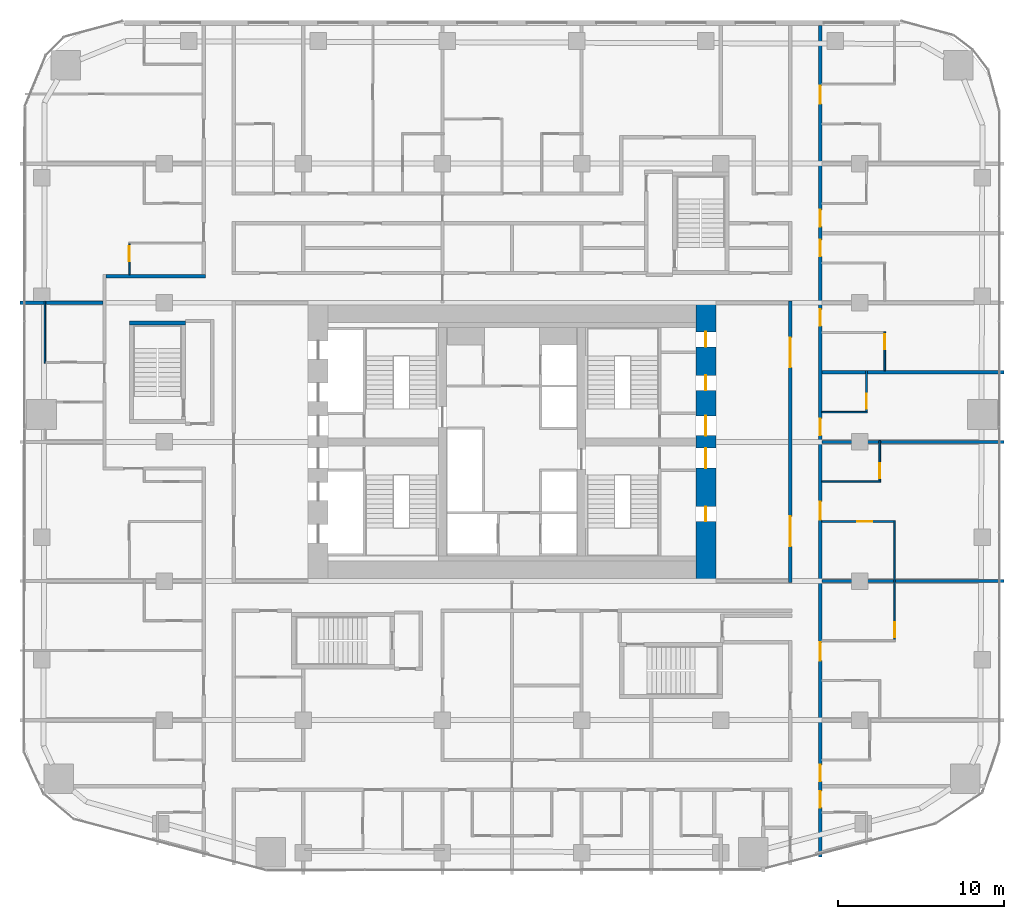
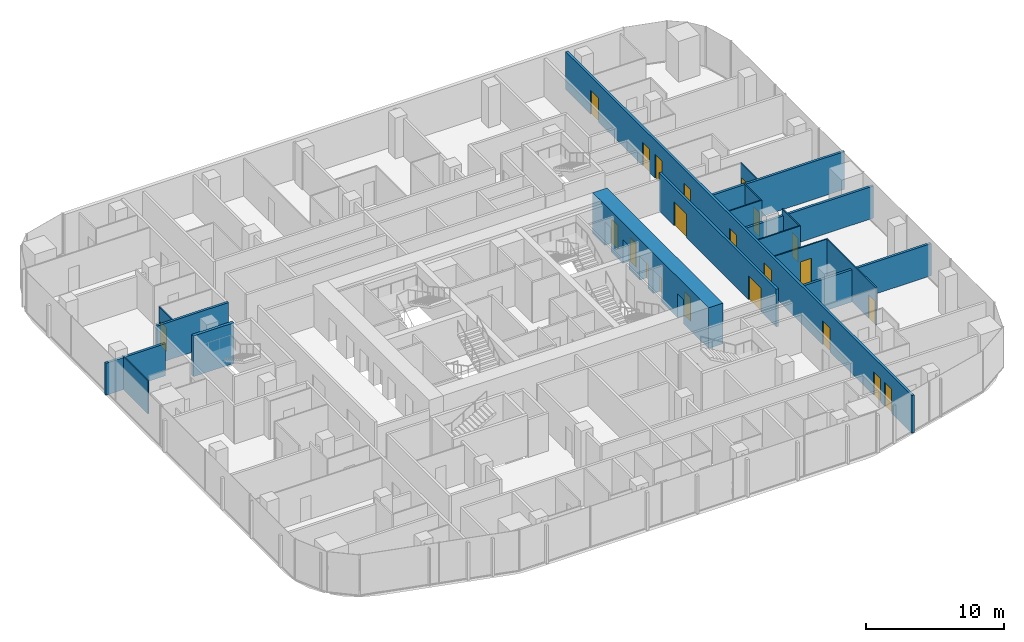
# One storey, part 20 of 26: 22 doors, 18 walls, 22 openings.
"""IFC4 building model written with IfcOpenShell, lengths in metres."""

from ifc_helpers import new_model, si_unit, direction, frame, frame_2d, origin, place, context, subcontext, project, spatial, rectangle, extrude, material, layer, layer_set, type_object, element, fill, save


model = new_model("IFC4")

# Units and contexts
model_context = context("Model", 3, precision=1e-05, world=origin(), true_north=direction((0.0, 1.0)))
body_context = subcontext(model_context, "Body", "Model", "MODEL_VIEW")
ifc_project = project(units=[si_unit("LENGTHUNIT", "METRE"), si_unit("AREAUNIT", "SQUARE_METRE"), si_unit("VOLUMEUNIT", "CUBIC_METRE"), si_unit("PLANEANGLEUNIT", "RADIAN"), si_unit("MASSUNIT", "GRAM", prefix="KILO")], contexts=[model_context])

# Site, building, storey
site_placement = place(None, origin())
site = spatial("IfcSite", under=ifc_project, at=site_placement, CompositionType="ELEMENT")
building_placement = place(site_placement, origin())
building = spatial("IfcBuilding", under=site, at=building_placement, Name="Marenta Gate Hotel Tower", CompositionType="ELEMENT")
storey_placement = place(building_placement, frame((0.0, 0.0, 65.300048828125)))
storey = spatial("IfcBuildingStorey", under=building, at=storey_placement, Name="L14", CompositionType="ELEMENT", Elevation=65.300048828125)

# Wall, openings, doors
ifc_material_1 = material(Name="Concrete blockwork", Category="masonry")
ifc_layer_1 = layer(ifc_material_1, 0.199951171875)
ifc_layer_set_1 = layer_set([ifc_layer_1], Name="Concrete blockwork")
wall_type_1 = type_object("IfcWallType", Name="Core boundary wall 200 REI 180", PredefinedType="PARTITIONING", material=ifc_layer_set_1)
wall_1_placement = place(storey_placement, frame((16.800048828125, -0.10009765625, 0.0), z_axis=(0.0, 0.0, 1.0), x_axis=(0.0, 1.0, 0.0)))
wall_1 = element("IfcWall", 1, at=wall_1_placement, inside=storey, type_object=wall_type_1, Name="L14-CP-BW-E", PredefinedType="PARTITIONING", context=body_context, shape_type="SweptSolid", body=[
    extrude(rectangle(XDim=17.0, YDim=0.199951171875, at=frame_2d((8.5, 0.0))), origin(), (0.0, 0.0, 1.0), 3.33984375),
])
opening_1_placement = place(wall_1_placement, frame((2.199951171875, 0.0, 0.0)))
opening_1 = element("IfcOpeningElement", 2, at=opening_1_placement, cuts=wall_1, Name="Opening ED-Ea-B", PredefinedType="OPENING", context=body_context, shape_type="SweptSolid", body=[
    extrude(rectangle(XDim=1.800048828125, YDim=2.10009765625, at=frame_2d((0.89990234375, 1.050048828125))), frame((0.0, 0.10009765625, 0.0), z_axis=(0.0, -1.0, 0.0), x_axis=(1.0, 0.0, 0.0)), (0.0, 0.0, 1.0), 0.199951171875),
])
opening_2_placement = place(wall_1_placement, frame((13.0, 0.0, 0.0)))
opening_2 = element("IfcOpeningElement", 3, at=opening_2_placement, cuts=wall_1, Name="Opening ED-Eb-B", PredefinedType="OPENING", context=body_context, shape_type="SweptSolid", body=[
    extrude(rectangle(XDim=1.800048828125, YDim=2.10009765625, at=frame_2d((0.89990234375, 1.050048828125))), frame((0.0, 0.10009765625, 0.0), z_axis=(0.0, -1.0, 0.0), x_axis=(1.0, 0.0, 0.0)), (0.0, 0.0, 1.0), 0.199951171875),
])
ifc_material_2 = material(Name="Steel", Category="steel")
door_type_1 = type_object("IfcDoorType", Name="Core lobby entrance door 1800x2100 EI 60", OperationType="DOUBLE_DOOR_SINGLE_SWING", PredefinedType="DOOR", material=ifc_material_2)
door_1_placement = place(opening_1_placement, origin())
door_1 = element("IfcDoor", 4, at=door_1_placement, inside=storey, type_object=door_type_1, Name="ED-Ea-B", OperationType="DOUBLE_DOOR_SINGLE_SWING", OverallHeight=2.10009765625, OverallWidth=1.800048828125, PredefinedType="DOOR", context=body_context, shape_type="SweptSolid", body=[
    extrude(rectangle(XDim=1.800048828125, YDim=2.10009765625, at=frame_2d((0.89990234375, 1.050048828125))), frame((0.0, 0.02490234375, 0.0), z_axis=(0.0, -1.0, 0.0), x_axis=(1.0, 0.0, 0.0)), (0.0, 0.0, 1.0), 0.050048828125),
])
fill(opening_1, door_1)
door_2_placement = place(opening_2_placement, origin())
door_2 = element("IfcDoor", 5, at=door_2_placement, inside=storey, type_object=door_type_1, Name="ED-Eb-B", OperationType="DOUBLE_DOOR_SINGLE_SWING", OverallHeight=2.10009765625, OverallWidth=1.800048828125, PredefinedType="DOOR", context=body_context, shape_type="SweptSolid", body=[
    extrude(rectangle(XDim=1.800048828125, YDim=2.10009765625, at=frame_2d((0.89990234375, 1.050048828125))), frame((0.0, 0.02490234375, 0.0), z_axis=(0.0, -1.0, 0.0), x_axis=(1.0, 0.0, 0.0)), (0.0, 0.0, 1.0), 0.050048828125),
])
fill(opening_2, door_2)

ifc_material_3 = material(Name="Concrete C80", Category="concrete")
ifc_layer_2 = layer(ifc_material_3, 1.199951171875)
ifc_layer_set_2 = layer_set([ifc_layer_2], Name="Concrete C80")
wall_type_2 = type_object("IfcWallType", Name="Core wall 1200 C80", PredefinedType="SHEAR", material=ifc_layer_set_2)
wall_2_placement = place(storey_placement, frame((11.699951171875, 0.0, 0.0), z_axis=(0.0, 0.0, 1.0), x_axis=(0.0, 1.0, 0.0)))
wall_2 = element("IfcWall", 6, at=wall_2_placement, inside=storey, type_object=wall_type_2, Name="L14-CORE-E", PredefinedType="SHEAR", context=body_context, shape_type="SweptSolid", body=[
    extrude(rectangle(XDim=16.800048828125, YDim=1.199951171875, at=frame_2d((8.39990234375, 0.0))), origin(), (0.0, 0.0, 1.0), 3.599853515625),
])
opening_3_placement = place(wall_2_placement, frame((3.60009765625, 0.0, 0.0)))
opening_3 = element("IfcOpeningElement", 7, at=opening_3_placement, cuts=wall_2, Name="Opening RD-ES-1", PredefinedType="OPENING", context=body_context, shape_type="SweptSolid", body=[
    extrude(rectangle(XDim=0.89990234375, YDim=2.10009765625, at=frame_2d((0.449951171875, 1.050048828125))), frame((0.0, 0.60009765625, 0.0), z_axis=(0.0, -1.0, 0.0), x_axis=(1.0, 0.0, 0.0)), (0.0, 0.0, 1.0), 1.199951171875),
])
opening_4_placement = place(wall_2_placement, frame((6.824951171875, 0.0, 0.0)))
opening_4 = element("IfcOpeningElement", 8, at=opening_4_placement, cuts=wall_2, Name="Opening PD-ES", PredefinedType="OPENING", context=body_context, shape_type="SweptSolid", body=[
    extrude(rectangle(XDim=1.199951171875, YDim=2.10009765625, at=frame_2d((0.60009765625, 1.050048828125))), frame((0.0, 0.60009765625, 0.0), z_axis=(0.0, -1.0, 0.0), x_axis=(1.0, 0.0, 0.0)), (0.0, 0.0, 1.0), 1.199951171875),
])
opening_5_placement = place(wall_2_placement, frame((14.137451171875, 0.0, 0.0)))
opening_5 = element("IfcOpeningElement", 9, at=opening_5_placement, cuts=wall_2, Name="Opening RD-EN-1", PredefinedType="OPENING", context=body_context, shape_type="SweptSolid", body=[
    extrude(rectangle(XDim=0.89990234375, YDim=2.10009765625, at=frame_2d((0.449951171875, 1.050048828125))), frame((0.0, 0.60009765625, 0.0), z_axis=(0.0, -1.0, 0.0), x_axis=(1.0, 0.0, 0.0)), (0.0, 0.0, 1.0), 1.199951171875),
])
opening_6_placement = place(wall_2_placement, frame((11.512451171875, 0.0, 0.0)))
opening_6 = element("IfcOpeningElement", 10, at=opening_6_placement, cuts=wall_2, Name="Opening RD-EN-2", PredefinedType="OPENING", context=body_context, shape_type="SweptSolid", body=[
    extrude(rectangle(XDim=0.89990234375, YDim=2.10009765625, at=frame_2d((0.449951171875, 1.050048828125))), frame((0.0, 0.60009765625, 0.0), z_axis=(0.0, -1.0, 0.0), x_axis=(1.0, 0.0, 0.0)), (0.0, 0.0, 1.0), 1.199951171875),
])
opening_7_placement = place(wall_2_placement, frame((8.77490234375, 0.0, 0.0)))
opening_7 = element("IfcOpeningElement", 11, at=opening_7_placement, cuts=wall_2, Name="Opening PD-EN", PredefinedType="OPENING", context=body_context, shape_type="SweptSolid", body=[
    extrude(rectangle(XDim=1.199951171875, YDim=2.10009765625, at=frame_2d((0.60009765625, 1.050048828125))), frame((0.0, 0.60009765625, 0.0), z_axis=(0.0, -1.0, 0.0), x_axis=(1.0, 0.0, 0.0)), (0.0, 0.0, 1.0), 1.199951171875),
])
ifc_material_4 = material(Name="Steel", Category="steel")
door_type_2 = type_object("IfcDoorType", Name="Core lobby door 1200x2100 FD60", OperationType="SINGLE_SWING_LEFT", PredefinedType="DOOR", material=ifc_material_4)
door_3_placement = place(opening_4_placement, origin())
door_3 = element("IfcDoor", 12, at=door_3_placement, inside=storey, type_object=door_type_2, Name="PD-ES", OperationType="SINGLE_SWING_LEFT", OverallHeight=2.10009765625, OverallWidth=1.199951171875, PredefinedType="DOOR", context=body_context, shape_type="SweptSolid", body=[
    extrude(rectangle(XDim=1.199951171875, YDim=2.10009765625, at=frame_2d((0.60009765625, 1.050048828125))), frame((0.0, 0.02490234375, 0.0), z_axis=(0.0, -1.0, 0.0), x_axis=(1.0, 0.0, 0.0)), (0.0, 0.0, 1.0), 0.050048828125),
])
fill(opening_4, door_3)
door_4_placement = place(opening_7_placement, origin())
door_4 = element("IfcDoor", 13, at=door_4_placement, inside=storey, type_object=door_type_2, Name="PD-EN", OperationType="SINGLE_SWING_LEFT", OverallHeight=2.10009765625, OverallWidth=1.199951171875, PredefinedType="DOOR", context=body_context, shape_type="SweptSolid", body=[
    extrude(rectangle(XDim=1.199951171875, YDim=2.10009765625, at=frame_2d((0.60009765625, 1.050048828125))), frame((0.0, 0.02490234375, 0.0), z_axis=(0.0, -1.0, 0.0), x_axis=(1.0, 0.0, 0.0)), (0.0, 0.0, 1.0), 0.050048828125),
])
fill(opening_7, door_4)
ifc_material_5 = material(Name="Steel", Category="steel")
door_type_3 = type_object("IfcDoorType", Name="Core service room door 900x2100 FD30S", OperationType="SINGLE_SWING_LEFT", PredefinedType="DOOR", material=ifc_material_5)
door_5_placement = place(opening_3_placement, origin())
door_5 = element("IfcDoor", 14, at=door_5_placement, inside=storey, type_object=door_type_3, Name="RD-ES-1", OperationType="SINGLE_SWING_LEFT", OverallHeight=2.10009765625, OverallWidth=0.89990234375, PredefinedType="DOOR", context=body_context, shape_type="SweptSolid", body=[
    extrude(rectangle(XDim=0.89990234375, YDim=2.10009765625, at=frame_2d((0.449951171875, 1.050048828125))), frame((0.0, 0.02490234375, 0.0), z_axis=(0.0, -1.0, 0.0), x_axis=(1.0, 0.0, 0.0)), (0.0, 0.0, 1.0), 0.050048828125),
])
fill(opening_3, door_5)
door_6_placement = place(opening_5_placement, origin())
door_6 = element("IfcDoor", 15, at=door_6_placement, inside=storey, type_object=door_type_3, Name="RD-EN-1", OperationType="SINGLE_SWING_LEFT", OverallHeight=2.10009765625, OverallWidth=0.89990234375, PredefinedType="DOOR", context=body_context, shape_type="SweptSolid", body=[
    extrude(rectangle(XDim=0.89990234375, YDim=2.10009765625, at=frame_2d((0.449951171875, 1.050048828125))), frame((0.0, 0.02490234375, 0.0), z_axis=(0.0, -1.0, 0.0), x_axis=(1.0, 0.0, 0.0)), (0.0, 0.0, 1.0), 0.050048828125),
])
fill(opening_5, door_6)
door_7_placement = place(opening_6_placement, origin())
door_7 = element("IfcDoor", 16, at=door_7_placement, inside=storey, type_object=door_type_3, Name="RD-EN-2", OperationType="SINGLE_SWING_LEFT", OverallHeight=2.10009765625, OverallWidth=0.89990234375, PredefinedType="DOOR", context=body_context, shape_type="SweptSolid", body=[
    extrude(rectangle(XDim=0.89990234375, YDim=2.10009765625, at=frame_2d((0.449951171875, 1.050048828125))), frame((0.0, 0.02490234375, 0.0), z_axis=(0.0, -1.0, 0.0), x_axis=(1.0, 0.0, 0.0)), (0.0, 0.0, 1.0), 0.050048828125),
])
fill(opening_6, door_7)

# Wall
ifc_material_6 = material(Name="Concrete C40", Category="concrete")
ifc_layer_3 = layer(ifc_material_6, 0.25)
ifc_layer_set_3 = layer_set([ifc_layer_3], Name="Concrete C40")
wall_type_3 = type_object("IfcWallType", Name="Remote stair enclosure wall 250 REI 180", PredefinedType="SHEAR", material=ifc_layer_set_3)
wall_3_placement = place(storey_placement, frame((-23.10009765625, 15.574951171875, 0.099853515625), z_axis=(0.0, 0.0, 1.0), x_axis=(1.0, 0.0, 0.0)))
element("IfcWall", 17, at=wall_3_placement, inside=storey, type_object=wall_type_3, Name="L14-RS-Z1-3-W2", PredefinedType="SHEAR", context=body_context, shape_type="SweptSolid", body=[
    extrude(rectangle(XDim=3.400146484375, YDim=0.25, at=frame_2d((1.7001953125, 0.0))), origin(), (0.0, 0.0, 1.0), 3.60009765625),
])

# Wall, openings, doors
ifc_material_7 = material(Name="Gypsum board on steel stud", Category="steel")
ifc_layer_4 = layer(ifc_material_7, 0.199951171875)
ifc_layer_set_4 = layer_set([ifc_layer_4], Name="Gypsum board on steel stud")
wall_type_4 = type_object("IfcWallType", Name="Room corridor wall 200 EI 60", PredefinedType="PARTITIONING", material=ifc_layer_set_4)
wall_4_placement = place(storey_placement, frame((18.60009765625, -16.6650390625, 0.0), z_axis=(0.0, 0.0, 1.0), x_axis=(0.0, 1.0, 0.0)))
wall_4 = element("IfcWall", 18, at=wall_4_placement, inside=storey, type_object=wall_type_4, Name="L14-PTN-W014", PredefinedType="PARTITIONING", context=body_context, shape_type="SweptSolid", body=[
    extrude(rectangle(XDim=50.205078125, YDim=0.199951171875, at=frame_2d((25.1025390625, 0.0))), origin(), (0.0, 0.0, 1.0), 3.33984375),
])
opening_8_placement = place(wall_4_placement, frame((2.990966796875, 0.0, 0.0)))
opening_8 = element("IfcOpeningElement", 19, at=opening_8_placement, cuts=wall_4, Name="Opening G05-05", PredefinedType="OPENING", context=body_context, shape_type="SweptSolid", body=[
    extrude(rectangle(XDim=1.0, YDim=2.10009765625, at=frame_2d((0.5, 1.050048828125))), frame((0.0, 0.10009765625, 0.0), z_axis=(0.0, -1.0, 0.0), x_axis=(1.0, 0.0, 0.0)), (0.0, 0.0, 1.0), 0.199951171875),
])
opening_9_placement = place(wall_4_placement, frame((4.573974609375, 0.0, 0.0)))
opening_9 = element("IfcOpeningElement", 20, at=opening_9_placement, cuts=wall_4, Name="Opening G05-07", PredefinedType="OPENING", context=body_context, shape_type="SweptSolid", body=[
    extrude(rectangle(XDim=1.0, YDim=2.10009765625, at=frame_2d((0.5, 1.050048828125))), frame((0.0, 0.10009765625, 0.0), z_axis=(0.0, -1.0, 0.0), x_axis=(1.0, 0.0, 0.0)), (0.0, 0.0, 1.0), 0.199951171875),
])
opening_10_placement = place(wall_4_placement, frame((11.864990234375, 0.0, 0.0)))
opening_10 = element("IfcOpeningElement", 21, at=opening_10_placement, cuts=wall_4, Name="Opening G05-09", PredefinedType="OPENING", context=body_context, shape_type="SweptSolid", body=[
    extrude(rectangle(XDim=1.10009765625, YDim=2.10009765625, at=frame_2d((0.550048828125, 1.050048828125))), frame((0.0, 0.10009765625, 0.0), z_axis=(0.0, -1.0, 0.0), x_axis=(1.0, 0.0, 0.0)), (0.0, 0.0, 1.0), 0.199951171875),
])
opening_11_placement = place(wall_4_placement, frame((20.364990234375, 0.0, 0.0)))
opening_11 = element("IfcOpeningElement", 22, at=opening_11_placement, cuts=wall_4, Name="Opening G05-12", PredefinedType="OPENING", context=body_context, shape_type="SweptSolid", body=[
    extrude(rectangle(XDim=1.10009765625, YDim=2.10009765625, at=frame_2d((0.550048828125, 1.050048828125))), frame((0.0, 0.10009765625, 0.0), z_axis=(0.0, -1.0, 0.0), x_axis=(1.0, 0.0, 0.0)), (0.0, 0.0, 1.0), 0.199951171875),
])
opening_12_placement = place(wall_4_placement, frame((25.465087890625, 0.0, 0.0)))
opening_12 = element("IfcOpeningElement", 23, at=opening_12_placement, cuts=wall_4, Name="Opening G05-15", PredefinedType="OPENING", context=body_context, shape_type="SweptSolid", body=[
    extrude(rectangle(XDim=1.0, YDim=2.10009765625, at=frame_2d((0.5, 1.050048828125))), frame((0.0, 0.10009765625, 0.0), z_axis=(0.0, -1.0, 0.0), x_axis=(1.0, 0.0, 0.0)), (0.0, 0.0, 1.0), 0.199951171875),
])
opening_13_placement = place(wall_4_placement, frame((32.06494140625, 0.0, 0.0)))
opening_13 = element("IfcOpeningElement", 24, at=opening_13_placement, cuts=wall_4, Name="Opening G05-17", PredefinedType="OPENING", context=body_context, shape_type="SweptSolid", body=[
    extrude(rectangle(XDim=1.0, YDim=2.10009765625, at=frame_2d((0.5, 1.050048828125))), frame((0.0, 0.10009765625, 0.0), z_axis=(0.0, -1.0, 0.0), x_axis=(1.0, 0.0, 0.0)), (0.0, 0.0, 1.0), 0.199951171875),
])
opening_14_placement = place(wall_4_placement, frame((36.264892578125, 0.0, 0.0)))
opening_14 = element("IfcOpeningElement", 25, at=opening_14_placement, cuts=wall_4, Name="Opening G05-19", PredefinedType="OPENING", context=body_context, shape_type="SweptSolid", body=[
    extrude(rectangle(XDim=1.0, YDim=2.10009765625, at=frame_2d((0.5, 1.050048828125))), frame((0.0, 0.10009765625, 0.0), z_axis=(0.0, -1.0, 0.0), x_axis=(1.0, 0.0, 0.0)), (0.0, 0.0, 1.0), 0.199951171875),
])
opening_15_placement = place(wall_4_placement, frame((38.06494140625, 0.0, 0.0)))
opening_15 = element("IfcOpeningElement", 26, at=opening_15_placement, cuts=wall_4, Name="Opening G05-21", PredefinedType="OPENING", context=body_context, shape_type="SweptSolid", body=[
    extrude(rectangle(XDim=1.0, YDim=2.10009765625, at=frame_2d((0.5, 1.050048828125))), frame((0.0, 0.10009765625, 0.0), z_axis=(0.0, -1.0, 0.0), x_axis=(1.0, 0.0, 0.0)), (0.0, 0.0, 1.0), 0.199951171875),
])
opening_16_placement = place(wall_4_placement, frame((45.465087890625, 0.0, 0.0)))
opening_16 = element("IfcOpeningElement", 27, at=opening_16_placement, cuts=wall_4, Name="Opening G05-23", PredefinedType="OPENING", context=body_context, shape_type="SweptSolid", body=[
    extrude(rectangle(XDim=1.10009765625, YDim=2.10009765625, at=frame_2d((0.550048828125, 1.050048828125))), frame((0.0, 0.10009765625, 0.0), z_axis=(0.0, -1.0, 0.0), x_axis=(1.0, 0.0, 0.0)), (0.0, 0.0, 1.0), 0.199951171875),
])
ifc_material_8 = material(Name="Timber door leaf", Category="wood")
door_type_4 = type_object("IfcDoorType", Name="Guest room door 1000x2100 EI 30", OperationType="NOTDEFINED", PredefinedType="DOOR", material=ifc_material_8)
door_8_placement = place(opening_8_placement, origin())
door_8 = element("IfcDoor", 28, at=door_8_placement, inside=storey, type_object=door_type_4, Name="L14-PD-D005", OperationType="SINGLE_SWING_LEFT", OverallHeight=2.10009765625, OverallWidth=1.0, PredefinedType="DOOR", context=body_context, shape_type="SweptSolid", body=[
    extrude(rectangle(XDim=1.0, YDim=2.10009765625, at=frame_2d((0.5, 1.050048828125))), frame((0.0, 0.02490234375, 0.0), z_axis=(0.0, -1.0, 0.0), x_axis=(1.0, 0.0, 0.0)), (0.0, 0.0, 1.0), 0.050048828125),
])
fill(opening_8, door_8)
door_9_placement = place(opening_9_placement, origin())
door_9 = element("IfcDoor", 29, at=door_9_placement, inside=storey, type_object=door_type_4, Name="L14-PD-D007", OperationType="SINGLE_SWING_LEFT", OverallHeight=2.10009765625, OverallWidth=1.0, PredefinedType="DOOR", context=body_context, shape_type="SweptSolid", body=[
    extrude(rectangle(XDim=1.0, YDim=2.10009765625, at=frame_2d((0.5, 1.050048828125))), frame((0.0, 0.02490234375, 0.0), z_axis=(0.0, -1.0, 0.0), x_axis=(1.0, 0.0, 0.0)), (0.0, 0.0, 1.0), 0.050048828125),
])
fill(opening_9, door_9)
door_10_placement = place(opening_12_placement, origin())
door_10 = element("IfcDoor", 30, at=door_10_placement, inside=storey, type_object=door_type_4, Name="L14-PD-D015", OperationType="SINGLE_SWING_LEFT", OverallHeight=2.10009765625, OverallWidth=1.0, PredefinedType="DOOR", context=body_context, shape_type="SweptSolid", body=[
    extrude(rectangle(XDim=1.0, YDim=2.10009765625, at=frame_2d((0.5, 1.050048828125))), frame((0.0, 0.02490234375, 0.0), z_axis=(0.0, -1.0, 0.0), x_axis=(1.0, 0.0, 0.0)), (0.0, 0.0, 1.0), 0.050048828125),
])
fill(opening_12, door_10)
door_11_placement = place(opening_13_placement, origin())
door_11 = element("IfcDoor", 31, at=door_11_placement, inside=storey, type_object=door_type_4, Name="L14-PD-D017", OperationType="SINGLE_SWING_LEFT", OverallHeight=2.10009765625, OverallWidth=1.0, PredefinedType="DOOR", context=body_context, shape_type="SweptSolid", body=[
    extrude(rectangle(XDim=1.0, YDim=2.10009765625, at=frame_2d((0.5, 1.050048828125))), frame((0.0, 0.02490234375, 0.0), z_axis=(0.0, -1.0, 0.0), x_axis=(1.0, 0.0, 0.0)), (0.0, 0.0, 1.0), 0.050048828125),
])
fill(opening_13, door_11)
door_12_placement = place(opening_14_placement, origin())
door_12 = element("IfcDoor", 32, at=door_12_placement, inside=storey, type_object=door_type_4, Name="L14-PD-D019", OperationType="SINGLE_SWING_LEFT", OverallHeight=2.10009765625, OverallWidth=1.0, PredefinedType="DOOR", context=body_context, shape_type="SweptSolid", body=[
    extrude(rectangle(XDim=1.0, YDim=2.10009765625, at=frame_2d((0.5, 1.050048828125))), frame((0.0, 0.02490234375, 0.0), z_axis=(0.0, -1.0, 0.0), x_axis=(1.0, 0.0, 0.0)), (0.0, 0.0, 1.0), 0.050048828125),
])
fill(opening_14, door_12)
door_13_placement = place(opening_15_placement, origin())
door_13 = element("IfcDoor", 33, at=door_13_placement, inside=storey, type_object=door_type_4, Name="L14-PD-D021", OperationType="SINGLE_SWING_LEFT", OverallHeight=2.10009765625, OverallWidth=1.0, PredefinedType="DOOR", context=body_context, shape_type="SweptSolid", body=[
    extrude(rectangle(XDim=1.0, YDim=2.10009765625, at=frame_2d((0.5, 1.050048828125))), frame((0.0, 0.02490234375, 0.0), z_axis=(0.0, -1.0, 0.0), x_axis=(1.0, 0.0, 0.0)), (0.0, 0.0, 1.0), 0.050048828125),
])
fill(opening_15, door_13)
ifc_material_9 = material(Name="Timber door leaf", Category="wood")
door_type_5 = type_object("IfcDoorType", Name="Guest room door 1100x2100 EI 30", OperationType="NOTDEFINED", PredefinedType="DOOR", material=ifc_material_9)
door_14_placement = place(opening_10_placement, origin())
door_14 = element("IfcDoor", 34, at=door_14_placement, inside=storey, type_object=door_type_5, Name="L14-PD-D009", OperationType="SINGLE_SWING_LEFT", OverallHeight=2.10009765625, OverallWidth=1.10009765625, PredefinedType="DOOR", context=body_context, shape_type="SweptSolid", body=[
    extrude(rectangle(XDim=1.10009765625, YDim=2.10009765625, at=frame_2d((0.550048828125, 1.050048828125))), frame((0.0, 0.02490234375, 0.0), z_axis=(0.0, -1.0, 0.0), x_axis=(1.0, 0.0, 0.0)), (0.0, 0.0, 1.0), 0.050048828125),
])
fill(opening_10, door_14)
door_15_placement = place(opening_11_placement, origin())
door_15 = element("IfcDoor", 35, at=door_15_placement, inside=storey, type_object=door_type_5, Name="L14-PD-D012", OperationType="SINGLE_SWING_RIGHT", OverallHeight=2.10009765625, OverallWidth=1.10009765625, PredefinedType="DOOR", context=body_context, shape_type="SweptSolid", body=[
    extrude(rectangle(XDim=1.10009765625, YDim=2.10009765625, at=frame_2d((0.550048828125, 1.050048828125))), frame((0.0, 0.02490234375, 0.0), z_axis=(0.0, -1.0, 0.0), x_axis=(1.0, 0.0, 0.0)), (0.0, 0.0, 1.0), 0.050048828125),
])
fill(opening_11, door_15)
door_16_placement = place(opening_16_placement, origin())
door_16 = element("IfcDoor", 36, at=door_16_placement, inside=storey, type_object=door_type_5, Name="L14-PD-D023", OperationType="SINGLE_SWING_LEFT", OverallHeight=2.10009765625, OverallWidth=1.10009765625, PredefinedType="DOOR", context=body_context, shape_type="SweptSolid", body=[
    extrude(rectangle(XDim=1.10009765625, YDim=2.10009765625, at=frame_2d((0.550048828125, 1.050048828125))), frame((0.0, 0.02490234375, 0.0), z_axis=(0.0, -1.0, 0.0), x_axis=(1.0, 0.0, 0.0)), (0.0, 0.0, 1.0), 0.050048828125),
])
fill(opening_16, door_16)

# Wall
wall_5_placement = place(storey_placement, frame((-24.5, 18.39990234375, 0.0), z_axis=(0.0, 0.0, 1.0), x_axis=(1.0, 0.0, 0.0)))
element("IfcWall", 37, at=wall_5_placement, inside=storey, type_object=wall_type_4, Name="L14-PTN-W113", PredefinedType="PARTITIONING", context=body_context, shape_type="SweptSolid", body=[
    extrude(rectangle(XDim=6.0, YDim=0.199951171875, at=frame_2d((3.0, 0.0))), origin(), (0.0, 0.0, 1.0), 3.33984375),
])

# Wall, opening, door
ifc_material_10 = material(Name="Gypsum board on steel stud", Category="steel")
ifc_layer_5 = layer(ifc_material_10, 0.10009765625)
ifc_layer_set_5 = layer_set([ifc_layer_5], Name="Gypsum board on steel stud")
wall_type_5 = type_object("IfcWallType", Name="Room partition 100", PredefinedType="PARTITIONING", material=ifc_layer_set_5)
wall_6_placement = place(storey_placement, frame((23.10009765625, -3.550048828125, 0.0), z_axis=(0.0, 0.0, 1.0), x_axis=(0.0, 1.0, 0.0)))
wall_6 = element("IfcWall", 38, at=wall_6_placement, inside=storey, type_object=wall_type_5, Name="L14-PTN-W001", PredefinedType="PARTITIONING", context=body_context, shape_type="SweptSolid", body=[
    extrude(rectangle(XDim=7.199951171875, YDim=0.10009765625, at=frame_2d((3.60009765625, 0.0))), origin(), (0.0, 0.0, 1.0), 3.33984375),
])
opening_17_placement = place(wall_6_placement, frame((0.14990234375, 0.0, 0.0)))
opening_17 = element("IfcOpeningElement", 39, at=opening_17_placement, cuts=wall_6, Name="Opening G05-10", PredefinedType="OPENING", context=body_context, shape_type="SweptSolid", body=[
    extrude(rectangle(XDim=0.89990234375, YDim=2.10009765625, at=frame_2d((0.449951171875, 1.050048828125))), frame((0.0, 0.050048828125, 0.0), z_axis=(0.0, -1.0, 0.0), x_axis=(1.0, 0.0, 0.0)), (0.0, 0.0, 1.0), 0.10009765625),
])
ifc_material_11 = material(Name="Timber door leaf", Category="wood")
door_type_6 = type_object("IfcDoorType", Name="Guest bathroom door 900x2100", OperationType="NOTDEFINED", PredefinedType="DOOR", material=ifc_material_11)
door_17_placement = place(opening_17_placement, origin())
door_17 = element("IfcDoor", 40, at=door_17_placement, inside=storey, type_object=door_type_6, Name="L14-PD-D010", OperationType="SINGLE_SWING_LEFT", OverallHeight=2.10009765625, OverallWidth=0.89990234375, PredefinedType="DOOR", context=body_context, shape_type="SweptSolid", body=[
    extrude(rectangle(XDim=0.89990234375, YDim=2.10009765625, at=frame_2d((0.449951171875, 1.050048828125))), frame((0.0, 0.02490234375, 0.0), z_axis=(0.0, -1.0, 0.0), x_axis=(1.0, 0.0, 0.0)), (0.0, 0.0, 1.0), 0.050048828125),
])
fill(opening_17, door_17)

wall_7_placement = place(storey_placement, frame((22.5, 12.699951171875, 0.0), z_axis=(0.0, 0.0, 1.0), x_axis=(0.0, 1.0, 0.0)))
wall_7 = element("IfcWall", 41, at=wall_7_placement, inside=storey, type_object=wall_type_5, Name="L14-PTN-W003", PredefinedType="PARTITIONING", context=body_context, shape_type="SweptSolid", body=[
    extrude(rectangle(XDim=2.35009765625, YDim=0.10009765625, at=frame_2d((1.175048828125, 0.0))), origin(), (0.0, 0.0, 1.0), 3.33984375),
])
opening_18_placement = place(wall_7_placement, frame((1.300048828125, 0.0, 0.0)))
opening_18 = element("IfcOpeningElement", 42, at=opening_18_placement, cuts=wall_7, Name="Opening G05-18", PredefinedType="OPENING", context=body_context, shape_type="SweptSolid", body=[
    extrude(rectangle(XDim=0.89990234375, YDim=2.10009765625, at=frame_2d((0.449951171875, 1.050048828125))), frame((0.0, 0.050048828125, 0.0), z_axis=(0.0, -1.0, 0.0), x_axis=(1.0, 0.0, 0.0)), (0.0, 0.0, 1.0), 0.10009765625),
])
door_18_placement = place(opening_18_placement, origin())
door_18 = element("IfcDoor", 43, at=door_18_placement, inside=storey, type_object=door_type_6, Name="L14-PD-D018", OperationType="SINGLE_SWING_RIGHT", OverallHeight=2.10009765625, OverallWidth=0.89990234375, PredefinedType="DOOR", context=body_context, shape_type="SweptSolid", body=[
    extrude(rectangle(XDim=0.89990234375, YDim=2.10009765625, at=frame_2d((0.449951171875, 1.050048828125))), frame((0.0, 0.02490234375, 0.0), z_axis=(0.0, -1.0, 0.0), x_axis=(1.0, 0.0, 0.0)), (0.0, 0.0, 1.0), 0.050048828125),
])
fill(opening_18, door_18)

wall_8_placement = place(storey_placement, frame((22.199951171875, 6.050048828125, 0.0), z_axis=(0.0, 0.0, 1.0), x_axis=(0.0, 1.0, 0.0)))
wall_8 = element("IfcWall", 44, at=wall_8_placement, inside=storey, type_object=wall_type_5, Name="L14-PTN-W006", PredefinedType="PARTITIONING", context=body_context, shape_type="SweptSolid", body=[
    extrude(rectangle(XDim=2.449951171875, YDim=0.10009765625, at=frame_2d((1.22509765625, 0.0))), origin(), (0.0, 0.0, 1.0), 3.33984375),
])
opening_19_placement = place(wall_8_placement, frame((0.14990234375, 0.0, 0.0)))
opening_19 = element("IfcOpeningElement", 45, at=opening_19_placement, cuts=wall_8, Name="Opening G05-14", PredefinedType="OPENING", context=body_context, shape_type="SweptSolid", body=[
    extrude(rectangle(XDim=0.89990234375, YDim=2.10009765625, at=frame_2d((0.449951171875, 1.050048828125))), frame((0.0, 0.050048828125, 0.0), z_axis=(0.0, -1.0, 0.0), x_axis=(1.0, 0.0, 0.0)), (0.0, 0.0, 1.0), 0.10009765625),
])
ifc_material_12 = material(Name="Timber door leaf", Category="wood")
door_type_7 = type_object("IfcDoorType", Name="Room inner door 900x2100", OperationType="NOTDEFINED", PredefinedType="DOOR", material=ifc_material_12)
door_19_placement = place(opening_19_placement, origin())
door_19 = element("IfcDoor", 46, at=door_19_placement, inside=storey, type_object=door_type_7, Name="L14-PD-D014", OperationType="SINGLE_SWING_LEFT", OverallHeight=2.10009765625, OverallWidth=0.89990234375, PredefinedType="DOOR", context=body_context, shape_type="SweptSolid", body=[
    extrude(rectangle(XDim=0.89990234375, YDim=2.10009765625, at=frame_2d((0.449951171875, 1.050048828125))), frame((0.0, 0.02490234375, 0.0), z_axis=(0.0, -1.0, 0.0), x_axis=(1.0, 0.0, 0.0)), (0.0, 0.0, 1.0), 0.050048828125),
])
fill(opening_19, door_19)

wall_9_placement = place(storey_placement, frame((21.39990234375, 10.25, 0.0), z_axis=(0.0, 0.0, 1.0), x_axis=(0.0, 1.0, 0.0)))
wall_9 = element("IfcWall", 47, at=wall_9_placement, inside=storey, type_object=wall_type_5, Name="L14-PTN-W010", PredefinedType="PARTITIONING", context=body_context, shape_type="SweptSolid", body=[
    extrude(rectangle(XDim=2.449951171875, YDim=0.10009765625, at=frame_2d((1.22509765625, 0.0))), origin(), (0.0, 0.0, 1.0), 3.33984375),
])
opening_20_placement = place(wall_9_placement, frame((0.14990234375, 0.0, 0.0)))
opening_20 = element("IfcOpeningElement", 48, at=opening_20_placement, cuts=wall_9, Name="Opening G05-16", PredefinedType="OPENING", context=body_context, shape_type="SweptSolid", body=[
    extrude(rectangle(XDim=0.89990234375, YDim=2.10009765625, at=frame_2d((0.449951171875, 1.050048828125))), frame((0.0, 0.050048828125, 0.0), z_axis=(0.0, -1.0, 0.0), x_axis=(1.0, 0.0, 0.0)), (0.0, 0.0, 1.0), 0.10009765625),
])
door_20_placement = place(opening_20_placement, origin())
door_20 = element("IfcDoor", 49, at=door_20_placement, inside=storey, type_object=door_type_6, Name="L14-PD-D016", OperationType="SINGLE_SWING_LEFT", OverallHeight=2.10009765625, OverallWidth=0.89990234375, PredefinedType="DOOR", context=body_context, shape_type="SweptSolid", body=[
    extrude(rectangle(XDim=0.89990234375, YDim=2.10009765625, at=frame_2d((0.449951171875, 1.050048828125))), frame((0.0, 0.02490234375, 0.0), z_axis=(0.0, -1.0, 0.0), x_axis=(1.0, 0.0, 0.0)), (0.0, 0.0, 1.0), 0.050048828125),
])
fill(opening_20, door_20)

wall_10_placement = place(storey_placement, frame((18.699951171875, 3.60009765625, 0.0), z_axis=(0.0, 0.0, 1.0), x_axis=(1.0, 0.0, 0.0)))
wall_10 = element("IfcWall", 50, at=wall_10_placement, inside=storey, type_object=wall_type_5, Name="L14-PTN-W079", PredefinedType="PARTITIONING", context=body_context, shape_type="SweptSolid", body=[
    extrude(rectangle(XDim=4.35009765625, YDim=0.10009765625, at=frame_2d((2.175048828125, 0.0))), origin(), (0.0, 0.0, 1.0), 3.33984375),
])
opening_21_placement = place(wall_10_placement, frame((2.14990234375, 0.0, 0.0)))
opening_21 = element("IfcOpeningElement", 51, at=opening_21_placement, cuts=wall_10, Name="Opening G05-13", PredefinedType="OPENING", context=body_context, shape_type="SweptSolid", body=[
    extrude(rectangle(XDim=0.89990234375, YDim=2.10009765625, at=frame_2d((0.449951171875, 1.050048828125))), frame((0.0, 0.050048828125, 0.0), z_axis=(0.0, -1.0, 0.0), x_axis=(1.0, 0.0, 0.0)), (0.0, 0.0, 1.0), 0.10009765625),
])
door_21_placement = place(opening_21_placement, origin())
door_21 = element("IfcDoor", 52, at=door_21_placement, inside=storey, type_object=door_type_6, Name="L14-PD-D013", OperationType="SINGLE_SWING_LEFT", OverallHeight=2.10009765625, OverallWidth=0.89990234375, PredefinedType="DOOR", context=body_context, shape_type="SweptSolid", body=[
    extrude(rectangle(XDim=0.89990234375, YDim=2.10009765625, at=frame_2d((0.449951171875, 1.050048828125))), frame((0.0, 0.02490234375, 0.0), z_axis=(0.0, -1.0, 0.0), x_axis=(1.0, 0.0, 0.0)), (0.0, 0.0, 1.0), 0.050048828125),
])
fill(opening_21, door_21)

# Walls
wall_11_placement = place(storey_placement, frame((18.699951171875, 6.0, 0.0), z_axis=(0.0, 0.0, 1.0), x_axis=(1.0, 0.0, 0.0)))
element("IfcWall", 53, at=wall_11_placement, inside=storey, type_object=wall_type_5, Name="L14-PTN-W086", PredefinedType="PARTITIONING", context=body_context, shape_type="SweptSolid", body=[
    extrude(rectangle(XDim=3.550048828125, YDim=0.10009765625, at=frame_2d((1.77490234375, 0.0))), origin(), (0.0, 0.0, 1.0), 3.33984375),
])
wall_12_placement = place(storey_placement, frame((18.699951171875, 10.199951171875, 0.0), z_axis=(0.0, 0.0, 1.0), x_axis=(1.0, 0.0, 0.0)))
element("IfcWall", 54, at=wall_12_placement, inside=storey, type_object=wall_type_5, Name="L14-PTN-W095", PredefinedType="PARTITIONING", context=body_context, shape_type="SweptSolid", body=[
    extrude(rectangle(XDim=2.75, YDim=0.10009765625, at=frame_2d((1.375, 0.0))), origin(), (0.0, 0.0, 1.0), 3.33984375),
])

# Wall, opening, door
wall_13_placement = place(storey_placement, frame((-23.10009765625, 18.5, 0.0), z_axis=(0.0, 0.0, 1.0), x_axis=(0.0, 1.0, 0.0)))
wall_13 = element("IfcWall", 55, at=wall_13_placement, inside=storey, type_object=wall_type_5, Name="L14-PTN-W136", PredefinedType="PARTITIONING", context=body_context, shape_type="SweptSolid", body=[
    extrude(rectangle(XDim=1.85009765625, YDim=0.10009765625, at=frame_2d((0.925048828125, 0.0))), origin(), (0.0, 0.0, 1.0), 3.33984375),
])
opening_22_placement = place(wall_13_placement, frame((0.800048828125, 0.0, 0.0)))
opening_22 = element("IfcOpeningElement", 56, at=opening_22_placement, cuts=wall_13, Name="Opening G05-61", PredefinedType="OPENING", context=body_context, shape_type="SweptSolid", body=[
    extrude(rectangle(XDim=0.89990234375, YDim=2.10009765625, at=frame_2d((0.449951171875, 1.050048828125))), frame((0.0, 0.050048828125, 0.0), z_axis=(0.0, -1.0, 0.0), x_axis=(1.0, 0.0, 0.0)), (0.0, 0.0, 1.0), 0.10009765625),
])
door_22_placement = place(opening_22_placement, origin())
door_22 = element("IfcDoor", 57, at=door_22_placement, inside=storey, type_object=door_type_6, Name="L14-PD-D061", OperationType="SINGLE_SWING_LEFT", OverallHeight=2.10009765625, OverallWidth=0.89990234375, PredefinedType="DOOR", context=body_context, shape_type="SweptSolid", body=[
    extrude(rectangle(XDim=0.89990234375, YDim=2.10009765625, at=frame_2d((0.449951171875, 1.050048828125))), frame((0.0, 0.02490234375, 0.0), z_axis=(0.0, -1.0, 0.0), x_axis=(1.0, 0.0, 0.0)), (0.0, 0.0, 1.0), 0.050048828125),
])
fill(opening_22, door_22)

# Walls
wall_14_placement = place(storey_placement, frame((-28.199951171875, 13.14990234375, 0.0), z_axis=(0.0, 0.0, 1.0), x_axis=(0.0, 1.0, 0.0)))
element("IfcWall", 58, at=wall_14_placement, inside=storey, type_object=wall_type_5, Name="L14-PTN-W150", PredefinedType="PARTITIONING", context=body_context, shape_type="SweptSolid", body=[
    extrude(rectangle(XDim=3.75, YDim=0.10009765625, at=frame_2d((1.875, 0.0))), origin(), (0.0, 0.0, 1.0), 2.93994140625),
])
ifc_material_13 = material(Name="Gypsum board on steel stud", Category="steel")
ifc_layer_6 = layer(ifc_material_13, 0.199951171875)
ifc_layer_set_6 = layer_set([ifc_layer_6], Name="Gypsum board on steel stud")
wall_type_6 = type_object("IfcWallType", Name="Room party wall 200 EI 60", PredefinedType="PARTITIONING", material=ifc_layer_set_6)
for number, where, z_axis, x_axis, name in (
    (59, (18.699951171875, 0.0, 0.0), (0.0, 0.0, 1.0), (1.0, 0.0, 0.0), "L14-PTN-W075"),
    (60, (18.699951171875, 8.39990234375, 0.0), (0.0, 0.0, 1.0), (1.0, 0.0, 0.0), "L14-PTN-W092"),
):
    element("IfcWall", number, at=place(storey_placement, frame(where, z_axis=z_axis, x_axis=x_axis)), inside=storey, type_object=wall_type_6, Name=name, PredefinedType="PARTITIONING", context=body_context, shape_type="SweptSolid", body=[
        extrude(rectangle(XDim=11.0, YDim=0.199951171875, at=frame_2d((5.5, 0.0))), origin(), (0.0, 0.0, 1.0), 2.83984375),
    ])
wall_15_placement = place(storey_placement, frame((18.699951171875, 12.60009765625, 0.0), z_axis=(0.0, 0.0, 1.0), x_axis=(1.0, 0.0, 0.0)))
element("IfcWall", 61, at=wall_15_placement, inside=storey, type_object=wall_type_6, Name="L14-PTN-W101", PredefinedType="PARTITIONING", context=body_context, shape_type="SweptSolid", body=[
    extrude(rectangle(XDim=11.0, YDim=0.199951171875, at=frame_2d((5.5, 0.0))), origin(), (0.0, 0.0, 1.0), 3.33984375),
])
wall_16_placement = place(storey_placement, frame((-29.699951171875, 16.800048828125, 0.0), z_axis=(0.0, 0.0, 1.0), x_axis=(1.0, 0.0, 0.0)))
element("IfcWall", 62, at=wall_16_placement, inside=storey, type_object=wall_type_6, Name="L14-PTN-W110", PredefinedType="PARTITIONING", context=body_context, shape_type="SweptSolid", body=[
    extrude(rectangle(XDim=5.0, YDim=0.199951171875, at=frame_2d((2.5, 0.0))), origin(), (0.0, 0.0, 1.0), 2.83984375),
])

save(model, "model.ifc")
